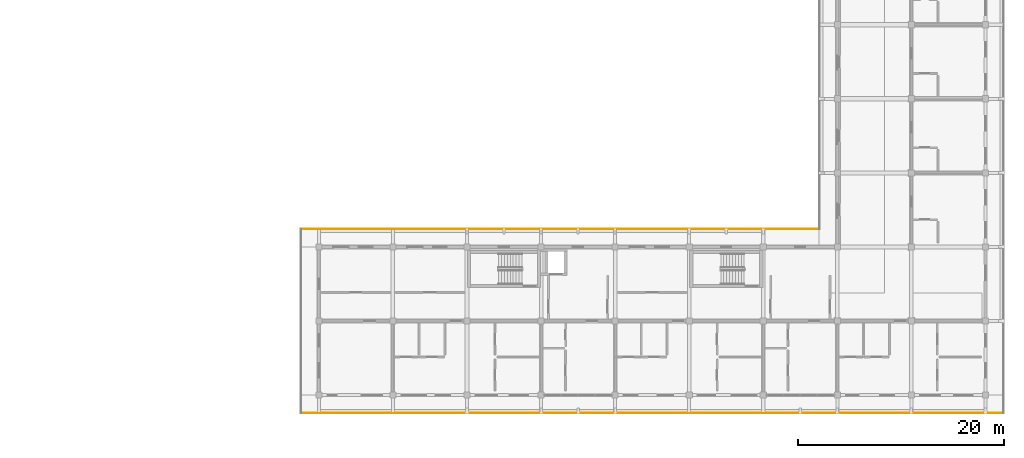
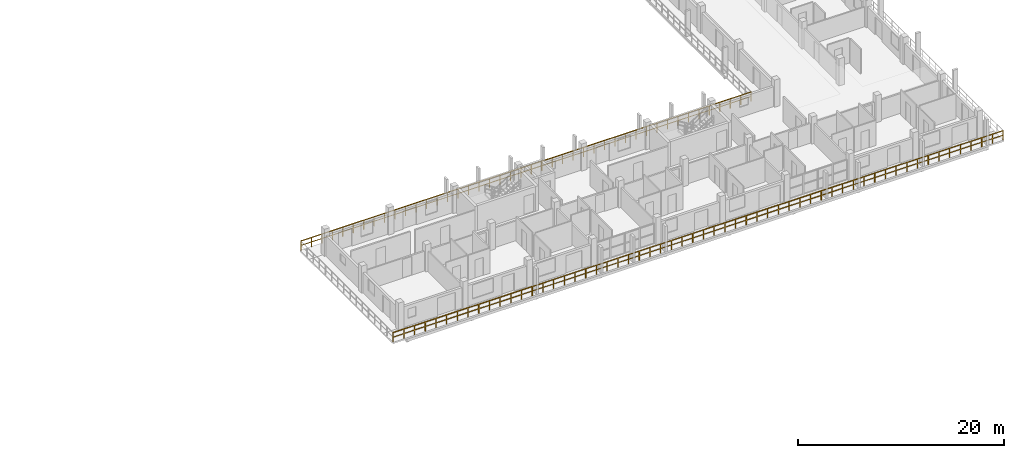
# One storey, part 73 of 78: 2 railings.
"""IFC4 building model written with IfcOpenShell, lengths in metres."""

from ifc_helpers import new_model, si_unit, direction, frame, origin, origin_2d, place, context, subcontext, project, spatial, rectangle, extrude, material, type_object, element, save


model = new_model("IFC4")

# Units and contexts
model_context = context("Model", 3, precision=1e-05, world=origin(), true_north=direction((0.0, 1.0)))
body_context = subcontext(model_context, "Body", "Model", "MODEL_VIEW")
ifc_project = project(units=[si_unit("LENGTHUNIT", "METRE"), si_unit("AREAUNIT", "SQUARE_METRE"), si_unit("VOLUMEUNIT", "CUBIC_METRE"), si_unit("PLANEANGLEUNIT", "RADIAN"), si_unit("MASSUNIT", "GRAM", prefix="KILO")], contexts=[model_context])

# Site, building, storey
site_placement = place(None, origin())
site = spatial("IfcSite", under=ifc_project, at=site_placement, CompositionType="ELEMENT")
building_placement = place(site_placement, origin())
building = spatial("IfcBuilding", under=site, at=building_placement, Name="Suanplinth Sawtooth Commons", CompositionType="ELEMENT")
storey_placement = place(building_placement, frame((0.0, 0.0, 15.39990234375)))
storey = spatial("IfcBuildingStorey", under=building, at=storey_placement, Name="L04", CompositionType="ELEMENT", Elevation=15.39990234375)

# Railings
ifc_material = material(Name="Powder-coated galvanized steel", Category="steel")
railing_type = type_object("IfcRailingType", Name="GR-01", PredefinedType="BALUSTRADE", material=ifc_material)
railing_1_placement = place(storey_placement, frame((120.659912109375, 16.139892578125, 0.0)))
element("IfcRailing", 1, at=railing_1_placement, inside=storey, type_object=railing_type, Name="L04 Block C Perimeter Balustrade 2", PredefinedType="BALUSTRADE", context=body_context, shape_type="SweptSolid", body=[
    extrude(rectangle(XDim=0.048095703125, YDim=0.048095703125, at=origin_2d()), frame((0.0, 0.0, 1.09619140625), z_axis=(1.0, 0.0, 0.0), x_axis=(0.0, 1.0, 0.0)), (0.0, 0.0, 1.0), 50.400146484375),
    extrude(rectangle(XDim=0.03369140625, YDim=0.03369140625, at=origin_2d()), frame((0.0, 0.0, 0.56005859375), z_axis=(1.0, 0.0, 0.0), x_axis=(0.0, 1.0, 0.0)), (0.0, 0.0, 1.0), 50.400146484375),
    extrude(rectangle(XDim=0.0419921875, YDim=0.0419921875, at=origin_2d()), origin(), (0.0, 0.0, 1.0), 1.072021484375),
    extrude(rectangle(XDim=0.0419921875, YDim=0.0419921875, at=origin_2d()), frame((1.172119140625, 0.0, 0.0)), (0.0, 0.0, 1.0), 1.072021484375),
    extrude(rectangle(XDim=0.0419921875, YDim=0.0419921875, at=origin_2d()), frame((2.34423828125, 0.0, 0.0)), (0.0, 0.0, 1.0), 1.072021484375),
    extrude(rectangle(XDim=0.0419921875, YDim=0.0419921875, at=origin_2d()), frame((3.516357421875, 0.0, 0.0)), (0.0, 0.0, 1.0), 1.072021484375),
    extrude(rectangle(XDim=0.0419921875, YDim=0.0419921875, at=origin_2d()), frame((4.6884765625, 0.0, 0.0)), (0.0, 0.0, 1.0), 1.072021484375),
    extrude(rectangle(XDim=0.0419921875, YDim=0.0419921875, at=origin_2d()), frame((5.860595703125, 0.0, 0.0)), (0.0, 0.0, 1.0), 1.072021484375),
    extrude(rectangle(XDim=0.0419921875, YDim=0.0419921875, at=origin_2d()), frame((7.032470703125, 0.0, 0.0)), (0.0, 0.0, 1.0), 1.072021484375),
    extrude(rectangle(XDim=0.0419921875, YDim=0.0419921875, at=origin_2d()), frame((8.20458984375, 0.0, 0.0)), (0.0, 0.0, 1.0), 1.072021484375),
    extrude(rectangle(XDim=0.0419921875, YDim=0.0419921875, at=origin_2d()), frame((9.376708984375, 0.0, 0.0)), (0.0, 0.0, 1.0), 1.072021484375),
    extrude(rectangle(XDim=0.0419921875, YDim=0.0419921875, at=origin_2d()), frame((10.548828125, 0.0, 0.0)), (0.0, 0.0, 1.0), 1.072021484375),
    extrude(rectangle(XDim=0.0419921875, YDim=0.0419921875, at=origin_2d()), frame((11.720947265625, 0.0, 0.0)), (0.0, 0.0, 1.0), 1.072021484375),
    extrude(rectangle(XDim=0.0419921875, YDim=0.0419921875, at=origin_2d()), frame((12.89306640625, 0.0, 0.0)), (0.0, 0.0, 1.0), 1.072021484375),
    extrude(rectangle(XDim=0.0419921875, YDim=0.0419921875, at=origin_2d()), frame((14.065185546875, 0.0, 0.0)), (0.0, 0.0, 1.0), 1.072021484375),
    extrude(rectangle(XDim=0.0419921875, YDim=0.0419921875, at=origin_2d()), frame((15.2373046875, 0.0, 0.0)), (0.0, 0.0, 1.0), 1.072021484375),
    extrude(rectangle(XDim=0.0419921875, YDim=0.0419921875, at=origin_2d()), frame((16.409423828125, 0.0, 0.0)), (0.0, 0.0, 1.0), 1.072021484375),
    extrude(rectangle(XDim=0.0419921875, YDim=0.0419921875, at=origin_2d()), frame((17.58154296875, 0.0, 0.0)), (0.0, 0.0, 1.0), 1.072021484375),
    extrude(rectangle(XDim=0.0419921875, YDim=0.0419921875, at=origin_2d()), frame((18.753662109375, 0.0, 0.0)), (0.0, 0.0, 1.0), 1.072021484375),
    extrude(rectangle(XDim=0.0419921875, YDim=0.0419921875, at=origin_2d()), frame((19.925537109375, 0.0, 0.0)), (0.0, 0.0, 1.0), 1.072021484375),
    extrude(rectangle(XDim=0.0419921875, YDim=0.0419921875, at=origin_2d()), frame((21.09765625, 0.0, 0.0)), (0.0, 0.0, 1.0), 1.072021484375),
    extrude(rectangle(XDim=0.0419921875, YDim=0.0419921875, at=origin_2d()), frame((22.269775390625, 0.0, 0.0)), (0.0, 0.0, 1.0), 1.072021484375),
    extrude(rectangle(XDim=0.0419921875, YDim=0.0419921875, at=origin_2d()), frame((23.44189453125, 0.0, 0.0)), (0.0, 0.0, 1.0), 1.072021484375),
    extrude(rectangle(XDim=0.0419921875, YDim=0.0419921875, at=origin_2d()), frame((24.614013671875, 0.0, 0.0)), (0.0, 0.0, 1.0), 1.072021484375),
    extrude(rectangle(XDim=0.0419921875, YDim=0.0419921875, at=origin_2d()), frame((25.7861328125, 0.0, 0.0)), (0.0, 0.0, 1.0), 1.072021484375),
    extrude(rectangle(XDim=0.0419921875, YDim=0.0419921875, at=origin_2d()), frame((26.958251953125, 0.0, 0.0)), (0.0, 0.0, 1.0), 1.072021484375),
    extrude(rectangle(XDim=0.0419921875, YDim=0.0419921875, at=origin_2d()), frame((28.13037109375, 0.0, 0.0)), (0.0, 0.0, 1.0), 1.072021484375),
    extrude(rectangle(XDim=0.0419921875, YDim=0.0419921875, at=origin_2d()), frame((29.302490234375, 0.0, 0.0)), (0.0, 0.0, 1.0), 1.072021484375),
    extrude(rectangle(XDim=0.0419921875, YDim=0.0419921875, at=origin_2d()), frame((30.474609375, 0.0, 0.0)), (0.0, 0.0, 1.0), 1.072021484375),
    extrude(rectangle(XDim=0.0419921875, YDim=0.0419921875, at=origin_2d()), frame((31.646484375, 0.0, 0.0)), (0.0, 0.0, 1.0), 1.072021484375),
    extrude(rectangle(XDim=0.0419921875, YDim=0.0419921875, at=origin_2d()), frame((32.818603515625, 0.0, 0.0)), (0.0, 0.0, 1.0), 1.072021484375),
    extrude(rectangle(XDim=0.0419921875, YDim=0.0419921875, at=origin_2d()), frame((33.99072265625, 0.0, 0.0)), (0.0, 0.0, 1.0), 1.072021484375),
    extrude(rectangle(XDim=0.0419921875, YDim=0.0419921875, at=origin_2d()), frame((35.162841796875, 0.0, 0.0)), (0.0, 0.0, 1.0), 1.072021484375),
    extrude(rectangle(XDim=0.0419921875, YDim=0.0419921875, at=origin_2d()), frame((36.3349609375, 0.0, 0.0)), (0.0, 0.0, 1.0), 1.072021484375),
    extrude(rectangle(XDim=0.0419921875, YDim=0.0419921875, at=origin_2d()), frame((37.507080078125, 0.0, 0.0)), (0.0, 0.0, 1.0), 1.072021484375),
    extrude(rectangle(XDim=0.0419921875, YDim=0.0419921875, at=origin_2d()), frame((38.67919921875, 0.0, 0.0)), (0.0, 0.0, 1.0), 1.072021484375),
    extrude(rectangle(XDim=0.0419921875, YDim=0.0419921875, at=origin_2d()), frame((39.851318359375, 0.0, 0.0)), (0.0, 0.0, 1.0), 1.072021484375),
    extrude(rectangle(XDim=0.0419921875, YDim=0.0419921875, at=origin_2d()), frame((41.0234375, 0.0, 0.0)), (0.0, 0.0, 1.0), 1.072021484375),
    extrude(rectangle(XDim=0.0419921875, YDim=0.0419921875, at=origin_2d()), frame((42.195556640625, 0.0, 0.0)), (0.0, 0.0, 1.0), 1.072021484375),
    extrude(rectangle(XDim=0.0419921875, YDim=0.0419921875, at=origin_2d()), frame((43.36767578125, 0.0, 0.0)), (0.0, 0.0, 1.0), 1.072021484375),
    extrude(rectangle(XDim=0.0419921875, YDim=0.0419921875, at=origin_2d()), frame((44.53955078125, 0.0, 0.0)), (0.0, 0.0, 1.0), 1.072021484375),
    extrude(rectangle(XDim=0.0419921875, YDim=0.0419921875, at=origin_2d()), frame((45.711669921875, 0.0, 0.0)), (0.0, 0.0, 1.0), 1.072021484375),
    extrude(rectangle(XDim=0.0419921875, YDim=0.0419921875, at=origin_2d()), frame((46.8837890625, 0.0, 0.0)), (0.0, 0.0, 1.0), 1.072021484375),
    extrude(rectangle(XDim=0.0419921875, YDim=0.0419921875, at=origin_2d()), frame((48.055908203125, 0.0, 0.0)), (0.0, 0.0, 1.0), 1.072021484375),
    extrude(rectangle(XDim=0.0419921875, YDim=0.0419921875, at=origin_2d()), frame((49.22802734375, 0.0, 0.0)), (0.0, 0.0, 1.0), 1.072021484375),
    extrude(rectangle(XDim=0.0419921875, YDim=0.0419921875, at=origin_2d()), frame((50.400146484375, 0.0, 0.0)), (0.0, 0.0, 1.0), 1.072021484375),
])
railing_2_placement = place(storey_placement, frame((188.93994140625, -1.739990234375, 0.0)))
element("IfcRailing", 2, at=railing_2_placement, inside=storey, type_object=railing_type, Name="L04 Block C Perimeter Balustrade 6", PredefinedType="BALUSTRADE", context=body_context, shape_type="SweptSolid", body=[
    extrude(rectangle(XDim=0.048095703125, YDim=0.048095703125, at=origin_2d()), frame((0.0, 0.0, 1.09619140625), z_axis=(-1.0, 0.0, 0.0), x_axis=(0.0, -1.0, 0.0)), (0.0, 0.0, 1.0), 68.280029296875),
    extrude(rectangle(XDim=0.03369140625, YDim=0.03369140625, at=origin_2d()), frame((0.0, 0.0, 0.56005859375), z_axis=(-1.0, 0.0, 0.0), x_axis=(0.0, -1.0, 0.0)), (0.0, 0.0, 1.0), 68.280029296875),
    extrude(rectangle(XDim=0.0419921875, YDim=0.0419921875, at=origin_2d()), origin(), (0.0, 0.0, 1.0), 1.072021484375),
    extrude(rectangle(XDim=0.0419921875, YDim=0.0419921875, at=origin_2d()), frame((-1.197998046875, 0.0, 0.0)), (0.0, 0.0, 1.0), 1.072021484375),
    extrude(rectangle(XDim=0.0419921875, YDim=0.0419921875, at=origin_2d()), frame((-2.395751953125, 0.0, 0.0)), (0.0, 0.0, 1.0), 1.072021484375),
    extrude(rectangle(XDim=0.0419921875, YDim=0.0419921875, at=origin_2d()), frame((-3.59375, 0.0, 0.0)), (0.0, 0.0, 1.0), 1.072021484375),
    extrude(rectangle(XDim=0.0419921875, YDim=0.0419921875, at=origin_2d()), frame((-4.79150390625, 0.0, 0.0)), (0.0, 0.0, 1.0), 1.072021484375),
    extrude(rectangle(XDim=0.0419921875, YDim=0.0419921875, at=origin_2d()), frame((-5.989501953125, 0.0, 0.0)), (0.0, 0.0, 1.0), 1.072021484375),
    extrude(rectangle(XDim=0.0419921875, YDim=0.0419921875, at=origin_2d()), frame((-7.187255859375, 0.0, 0.0)), (0.0, 0.0, 1.0), 1.072021484375),
    extrude(rectangle(XDim=0.0419921875, YDim=0.0419921875, at=origin_2d()), frame((-8.38525390625, 0.0, 0.0)), (0.0, 0.0, 1.0), 1.072021484375),
    extrude(rectangle(XDim=0.0419921875, YDim=0.0419921875, at=origin_2d()), frame((-9.583251953125, 0.0, 0.0)), (0.0, 0.0, 1.0), 1.072021484375),
    extrude(rectangle(XDim=0.0419921875, YDim=0.0419921875, at=origin_2d()), frame((-10.781005859375, 0.0, 0.0)), (0.0, 0.0, 1.0), 1.072021484375),
    extrude(rectangle(XDim=0.0419921875, YDim=0.0419921875, at=origin_2d()), frame((-11.97900390625, 0.0, 0.0)), (0.0, 0.0, 1.0), 1.072021484375),
    extrude(rectangle(XDim=0.0419921875, YDim=0.0419921875, at=origin_2d()), frame((-13.1767578125, 0.0, 0.0)), (0.0, 0.0, 1.0), 1.072021484375),
    extrude(rectangle(XDim=0.0419921875, YDim=0.0419921875, at=origin_2d()), frame((-14.374755859375, 0.0, 0.0)), (0.0, 0.0, 1.0), 1.072021484375),
    extrude(rectangle(XDim=0.0419921875, YDim=0.0419921875, at=origin_2d()), frame((-15.57275390625, 0.0, 0.0)), (0.0, 0.0, 1.0), 1.072021484375),
    extrude(rectangle(XDim=0.0419921875, YDim=0.0419921875, at=origin_2d()), frame((-16.7705078125, 0.0, 0.0)), (0.0, 0.0, 1.0), 1.072021484375),
    extrude(rectangle(XDim=0.0419921875, YDim=0.0419921875, at=origin_2d()), frame((-17.968505859375, 0.0, 0.0)), (0.0, 0.0, 1.0), 1.072021484375),
    extrude(rectangle(XDim=0.0419921875, YDim=0.0419921875, at=origin_2d()), frame((-19.166259765625, 0.0, 0.0)), (0.0, 0.0, 1.0), 1.072021484375),
    extrude(rectangle(XDim=0.0419921875, YDim=0.0419921875, at=origin_2d()), frame((-20.3642578125, 0.0, 0.0)), (0.0, 0.0, 1.0), 1.072021484375),
    extrude(rectangle(XDim=0.0419921875, YDim=0.0419921875, at=origin_2d()), frame((-21.56201171875, 0.0, 0.0)), (0.0, 0.0, 1.0), 1.072021484375),
    extrude(rectangle(XDim=0.0419921875, YDim=0.0419921875, at=origin_2d()), frame((-22.760009765625, 0.0, 0.0)), (0.0, 0.0, 1.0), 1.072021484375),
    extrude(rectangle(XDim=0.0419921875, YDim=0.0419921875, at=origin_2d()), frame((-23.9580078125, 0.0, 0.0)), (0.0, 0.0, 1.0), 1.072021484375),
    extrude(rectangle(XDim=0.0419921875, YDim=0.0419921875, at=origin_2d()), frame((-25.15576171875, 0.0, 0.0)), (0.0, 0.0, 1.0), 1.072021484375),
    extrude(rectangle(XDim=0.0419921875, YDim=0.0419921875, at=origin_2d()), frame((-26.353759765625, 0.0, 0.0)), (0.0, 0.0, 1.0), 1.072021484375),
    extrude(rectangle(XDim=0.0419921875, YDim=0.0419921875, at=origin_2d()), frame((-27.551513671875, 0.0, 0.0)), (0.0, 0.0, 1.0), 1.072021484375),
    extrude(rectangle(XDim=0.0419921875, YDim=0.0419921875, at=origin_2d()), frame((-28.74951171875, 0.0, 0.0)), (0.0, 0.0, 1.0), 1.072021484375),
    extrude(rectangle(XDim=0.0419921875, YDim=0.0419921875, at=origin_2d()), frame((-29.947265625, 0.0, 0.0)), (0.0, 0.0, 1.0), 1.072021484375),
    extrude(rectangle(XDim=0.0419921875, YDim=0.0419921875, at=origin_2d()), frame((-31.145263671875, 0.0, 0.0)), (0.0, 0.0, 1.0), 1.072021484375),
    extrude(rectangle(XDim=0.0419921875, YDim=0.0419921875, at=origin_2d()), frame((-32.34326171875, 0.0, 0.0)), (0.0, 0.0, 1.0), 1.072021484375),
    extrude(rectangle(XDim=0.0419921875, YDim=0.0419921875, at=origin_2d()), frame((-33.541015625, 0.0, 0.0)), (0.0, 0.0, 1.0), 1.072021484375),
    extrude(rectangle(XDim=0.0419921875, YDim=0.0419921875, at=origin_2d()), frame((-34.739013671875, 0.0, 0.0)), (0.0, 0.0, 1.0), 1.072021484375),
    extrude(rectangle(XDim=0.0419921875, YDim=0.0419921875, at=origin_2d()), frame((-35.936767578125, 0.0, 0.0)), (0.0, 0.0, 1.0), 1.072021484375),
    extrude(rectangle(XDim=0.0419921875, YDim=0.0419921875, at=origin_2d()), frame((-37.134765625, 0.0, 0.0)), (0.0, 0.0, 1.0), 1.072021484375),
    extrude(rectangle(XDim=0.0419921875, YDim=0.0419921875, at=origin_2d()), frame((-38.332763671875, 0.0, 0.0)), (0.0, 0.0, 1.0), 1.072021484375),
    extrude(rectangle(XDim=0.0419921875, YDim=0.0419921875, at=origin_2d()), frame((-39.530517578125, 0.0, 0.0)), (0.0, 0.0, 1.0), 1.072021484375),
    extrude(rectangle(XDim=0.0419921875, YDim=0.0419921875, at=origin_2d()), frame((-40.728515625, 0.0, 0.0)), (0.0, 0.0, 1.0), 1.072021484375),
    extrude(rectangle(XDim=0.0419921875, YDim=0.0419921875, at=origin_2d()), frame((-41.92626953125, 0.0, 0.0)), (0.0, 0.0, 1.0), 1.072021484375),
    extrude(rectangle(XDim=0.0419921875, YDim=0.0419921875, at=origin_2d()), frame((-43.124267578125, 0.0, 0.0)), (0.0, 0.0, 1.0), 1.072021484375),
    extrude(rectangle(XDim=0.0419921875, YDim=0.0419921875, at=origin_2d()), frame((-44.322021484375, 0.0, 0.0)), (0.0, 0.0, 1.0), 1.072021484375),
    extrude(rectangle(XDim=0.0419921875, YDim=0.0419921875, at=origin_2d()), frame((-45.52001953125, 0.0, 0.0)), (0.0, 0.0, 1.0), 1.072021484375),
    extrude(rectangle(XDim=0.0419921875, YDim=0.0419921875, at=origin_2d()), frame((-46.718017578125, 0.0, 0.0)), (0.0, 0.0, 1.0), 1.072021484375),
    extrude(rectangle(XDim=0.0419921875, YDim=0.0419921875, at=origin_2d()), frame((-47.915771484375, 0.0, 0.0)), (0.0, 0.0, 1.0), 1.072021484375),
    extrude(rectangle(XDim=0.0419921875, YDim=0.0419921875, at=origin_2d()), frame((-49.11376953125, 0.0, 0.0)), (0.0, 0.0, 1.0), 1.072021484375),
    extrude(rectangle(XDim=0.0419921875, YDim=0.0419921875, at=origin_2d()), frame((-50.3115234375, 0.0, 0.0)), (0.0, 0.0, 1.0), 1.072021484375),
    extrude(rectangle(XDim=0.0419921875, YDim=0.0419921875, at=origin_2d()), frame((-51.509521484375, 0.0, 0.0)), (0.0, 0.0, 1.0), 1.072021484375),
    extrude(rectangle(XDim=0.0419921875, YDim=0.0419921875, at=origin_2d()), frame((-52.707275390625, 0.0, 0.0)), (0.0, 0.0, 1.0), 1.072021484375),
    extrude(rectangle(XDim=0.0419921875, YDim=0.0419921875, at=origin_2d()), frame((-53.9052734375, 0.0, 0.0)), (0.0, 0.0, 1.0), 1.072021484375),
    extrude(rectangle(XDim=0.0419921875, YDim=0.0419921875, at=origin_2d()), frame((-55.103271484375, 0.0, 0.0)), (0.0, 0.0, 1.0), 1.072021484375),
    extrude(rectangle(XDim=0.0419921875, YDim=0.0419921875, at=origin_2d()), frame((-56.301025390625, 0.0, 0.0)), (0.0, 0.0, 1.0), 1.072021484375),
    extrude(rectangle(XDim=0.0419921875, YDim=0.0419921875, at=origin_2d()), frame((-57.4990234375, 0.0, 0.0)), (0.0, 0.0, 1.0), 1.072021484375),
    extrude(rectangle(XDim=0.0419921875, YDim=0.0419921875, at=origin_2d()), frame((-58.69677734375, 0.0, 0.0)), (0.0, 0.0, 1.0), 1.072021484375),
    extrude(rectangle(XDim=0.0419921875, YDim=0.0419921875, at=origin_2d()), frame((-59.894775390625, 0.0, 0.0)), (0.0, 0.0, 1.0), 1.072021484375),
    extrude(rectangle(XDim=0.0419921875, YDim=0.0419921875, at=origin_2d()), frame((-61.0927734375, 0.0, 0.0)), (0.0, 0.0, 1.0), 1.072021484375),
    extrude(rectangle(XDim=0.0419921875, YDim=0.0419921875, at=origin_2d()), frame((-62.29052734375, 0.0, 0.0)), (0.0, 0.0, 1.0), 1.072021484375),
    extrude(rectangle(XDim=0.0419921875, YDim=0.0419921875, at=origin_2d()), frame((-63.488525390625, 0.0, 0.0)), (0.0, 0.0, 1.0), 1.072021484375),
    extrude(rectangle(XDim=0.0419921875, YDim=0.0419921875, at=origin_2d()), frame((-64.686279296875, 0.0, 0.0)), (0.0, 0.0, 1.0), 1.072021484375),
    extrude(rectangle(XDim=0.0419921875, YDim=0.0419921875, at=origin_2d()), frame((-65.88427734375, 0.0, 0.0)), (0.0, 0.0, 1.0), 1.072021484375),
    extrude(rectangle(XDim=0.0419921875, YDim=0.0419921875, at=origin_2d()), frame((-67.08203125, 0.0, 0.0)), (0.0, 0.0, 1.0), 1.072021484375),
    extrude(rectangle(XDim=0.0419921875, YDim=0.0419921875, at=origin_2d()), frame((-68.280029296875, 0.0, 0.0)), (0.0, 0.0, 1.0), 1.072021484375),
])

save(model, "model.ifc")
